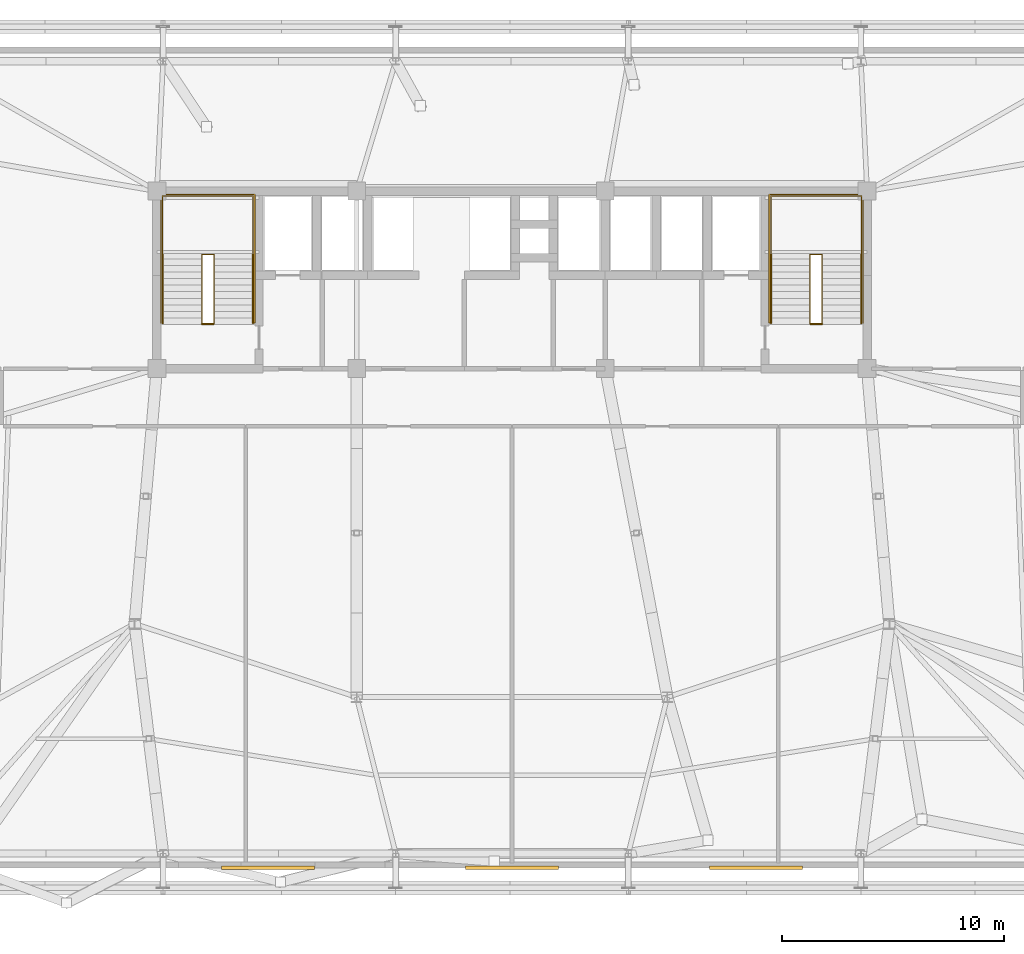
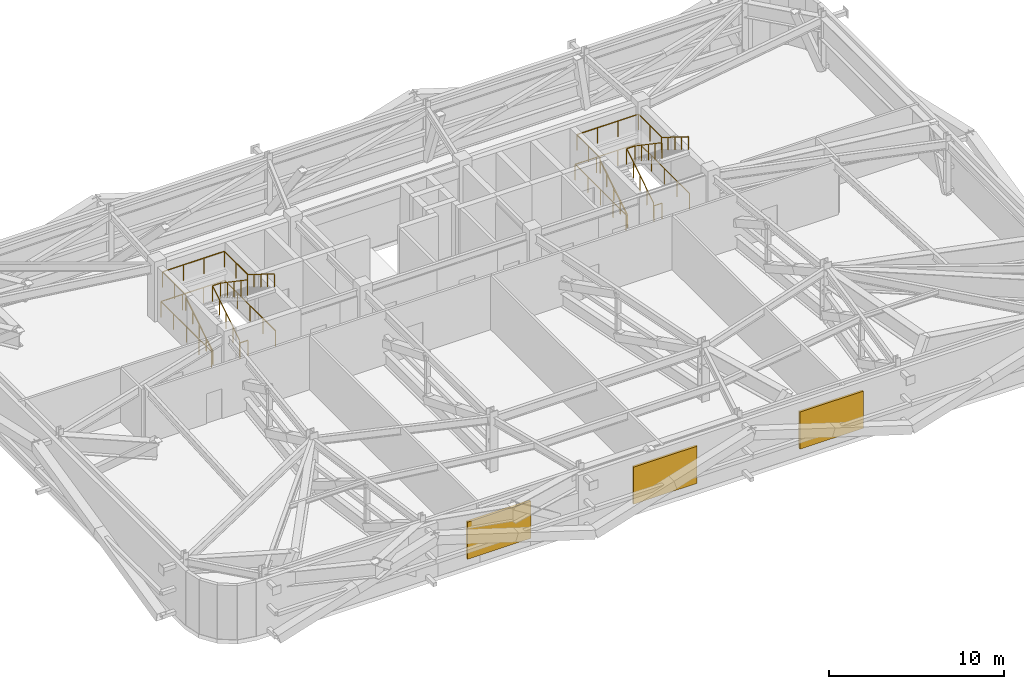
# One storey, part 24 of 24: 12 railings, 3 shading devices.
"""IFC4 building model written with IfcOpenShell, lengths in metres."""

from ifc_helpers import new_model, si_unit, direction, frame, origin, origin_2d, place, context, subcontext, project, spatial, rectangle, extrude, source, transform, mapped, material, layer, layer_set, type_object, element, save


model = new_model("IFC4")

# Units and contexts
model_context = context("Model", 3, precision=1e-05, world=origin(), true_north=direction((0.0, 1.0)))
body_context = subcontext(model_context, "Body", "Model", "MODEL_VIEW")
ifc_project = project(units=[si_unit("LENGTHUNIT", "METRE"), si_unit("AREAUNIT", "SQUARE_METRE"), si_unit("VOLUMEUNIT", "CUBIC_METRE"), si_unit("PLANEANGLEUNIT", "RADIAN"), si_unit("MASSUNIT", "GRAM", prefix="KILO")], contexts=[model_context])

# Site, building, storey
site_placement = place(None, origin())
site = spatial("IfcSite", under=ifc_project, at=site_placement, CompositionType="ELEMENT")
building_placement = place(site_placement, origin())
building = spatial("IfcBuilding", under=site, at=building_placement, Name="Taldren Reach Tower", CompositionType="ELEMENT")
storey_placement = place(building_placement, frame((0.0, 0.0, 60.89990234375)))
storey = spatial("IfcBuildingStorey", under=building, at=storey_placement, Name="L18", CompositionType="ELEMENT", Elevation=60.89990234375)

# Railings
ifc_material_1 = material(Name="Steel Gr 350 (C350L0)", Category="steel")
ifc_layer_1 = layer(ifc_material_1, 0.050048828125)
ifc_layer_set_1 = layer_set([ifc_layer_1], Name="Steel Gr 350 (C350L0)")
railing_type_1 = type_object("IfcRailingType", Name="RL-STAIR-GR", PredefinedType="GUARDRAIL", material=ifc_layer_set_1)
railing_1_placement = place(storey_placement, frame((19.260009765625, 29.135009765625, 2.10009765625)))
element("IfcRailing", 1, at=railing_1_placement, inside=storey, type_object=railing_type_1, Name="Stair half-landing perimeter guard ST1-L18", PredefinedType="GUARDRAIL", context=body_context, shape_type="SweptSolid", body=[
    extrude(rectangle(XDim=0.047852, YDim=0.047852, at=origin_2d()), frame((0.0, 0.0, 1.09619140625), z_axis=(0.0, 1.0, 0.0), x_axis=(-1.0, 0.0, 0.0)), (0.0, 0.0, 1.0), 2.64501953125),
    extrude(rectangle(XDim=0.047852, YDim=0.047852, at=origin_2d()), frame((0.0, 2.64501953125, 1.09619140625), z_axis=(1.0, 0.0, 0.0), x_axis=(0.0, 1.0, 0.0)), (0.0, 0.0, 1.0), 4.080078125),
    extrude(rectangle(XDim=0.047852, YDim=0.047852, at=origin_2d()), frame((4.080078125, 2.64501953125, 1.09619140625), z_axis=(0.0, -1.0, 0.0), x_axis=(1.0, 0.0, 0.0)), (0.0, 0.0, 1.0), 2.64501953125),
    extrude(rectangle(XDim=0.041992, YDim=0.041992, at=origin_2d()), origin(), (0.0, 0.0, 1.0), 1.072021484375),
    extrude(rectangle(XDim=0.041992, YDim=0.041992, at=origin_2d()), frame((0.0, 1.322509765625, 0.0)), (0.0, 0.0, 1.0), 1.072021484375),
    extrude(rectangle(XDim=0.041992, YDim=0.041992, at=origin_2d()), frame((0.0, 2.64501953125, 0.0)), (0.0, 0.0, 1.0), 1.072021484375),
    extrude(rectangle(XDim=0.041992, YDim=0.041992, at=origin_2d()), frame((1.360107421875, 2.64501953125, 0.0)), (0.0, 0.0, 1.0), 1.072021484375),
    extrude(rectangle(XDim=0.041992, YDim=0.041992, at=origin_2d()), frame((2.719970703125, 2.64501953125, 0.0)), (0.0, 0.0, 1.0), 1.072021484375),
    extrude(rectangle(XDim=0.041992, YDim=0.041992, at=origin_2d()), frame((4.080078125, 2.64501953125, 0.0)), (0.0, 0.0, 1.0), 1.072021484375),
    extrude(rectangle(XDim=0.041992, YDim=0.041992, at=origin_2d()), frame((4.080078125, 1.322509765625, 0.0)), (0.0, 0.0, 1.0), 1.072021484375),
    extrude(rectangle(XDim=0.041992, YDim=0.041992, at=origin_2d()), frame((4.080078125, 0.0, 0.0)), (0.0, 0.0, 1.0), 1.072021484375),
])
railing_2_placement = place(storey_placement, frame((21.030029296875, 26.050048828125, 0.175048828125)))
element("IfcRailing", 2, at=railing_2_placement, inside=storey, type_object=railing_type_1, Name="Stairwell inner guard ST1-L18", PredefinedType="GUARDRAIL", context=body_context, shape_type="SweptSolid", body=[
    extrude(rectangle(XDim=0.047852, YDim=0.047852, at=origin_2d()), frame((0.0, 0.0, 1.09619140625), z_axis=(0.0, 0.848375277705, 0.529395304266), x_axis=(-1.0, 0.0, 0.0)), (0.0, 0.0, 1.0), 3.63623046875),
    extrude(rectangle(XDim=0.047852, YDim=0.047852, at=origin_2d()), frame((0.0, 3.0849609375, 3.02099609375), z_axis=(1.0, 0.0, 0.0), x_axis=(0.0, 1.0, 0.0)), (0.0, 0.0, 1.0), 0.5400390625),
    extrude(rectangle(XDim=0.047852, YDim=0.047852, at=origin_2d()), frame((0.5400390625, 3.0849609375, 3.02099609375), z_axis=(0.0, -0.826636801581, 0.562735815701), x_axis=(1.0, 0.0, 0.0)), (0.0, 0.0, 1.0), 3.73193359375),
    extrude(rectangle(XDim=0.041992, YDim=0.041992, at=origin_2d()), origin(), (0.0, 0.0, 1.0), 1.072021484375),
    extrude(rectangle(XDim=0.041992, YDim=0.041992, at=origin_2d()), frame((0.0, 0.771240234375, 0.481201171875)), (0.0, 0.0, 1.0), 1.072021484375),
    extrude(rectangle(XDim=0.041992, YDim=0.041992, at=origin_2d()), frame((0.0, 1.54248046875, 0.96240234375)), (0.0, 0.0, 1.0), 1.072021484375),
    extrude(rectangle(XDim=0.041992, YDim=0.041992, at=origin_2d()), frame((0.0, 2.313720703125, 1.44384765625)), (0.0, 0.0, 1.0), 1.072021484375),
    extrude(rectangle(XDim=0.041992, YDim=0.041992, at=origin_2d()), frame((0.0, 3.0849609375, 1.925048828125)), (0.0, 0.0, 1.0), 1.072021484375),
    extrude(rectangle(XDim=0.041992, YDim=0.041992, at=origin_2d()), frame((0.5400390625, 3.0849609375, 1.925048828125)), (0.0, 0.0, 1.0), 1.072021484375),
    extrude(rectangle(XDim=0.041992, YDim=0.041992, at=origin_2d()), frame((0.5400390625, 2.313720703125, 2.4501953125)), (0.0, 0.0, 1.0), 1.072021484375),
    extrude(rectangle(XDim=0.041992, YDim=0.041992, at=origin_2d()), frame((0.5400390625, 1.54248046875, 2.97509765625)), (0.0, 0.0, 1.0), 1.072021484375),
    extrude(rectangle(XDim=0.041992, YDim=0.041992, at=origin_2d()), frame((0.5400390625, 0.771240234375, 3.5)), (0.0, 0.0, 1.0), 1.072021484375),
    extrude(rectangle(XDim=0.041992, YDim=0.041992, at=origin_2d()), frame((0.5400390625, 0.0, 4.025146484375)), (0.0, 0.0, 1.0), 1.072021484375),
])
railing_3_placement = place(storey_placement, frame((21.030029296875, 26.010009765625, 0.0)))
element("IfcRailing", 3, at=railing_3_placement, inside=storey, type_object=railing_type_1, Name="Stairwell landing slot guard ST1-L18", PredefinedType="GUARDRAIL", context=body_context, shape_type="SweptSolid", body=[
    extrude(rectangle(XDim=0.047852, YDim=0.047852, at=origin_2d()), frame((0.0, 0.0, 1.09619140625), z_axis=(1.0, 0.0, 0.0), x_axis=(0.0, 1.0, 0.0)), (0.0, 0.0, 1.0), 0.5400390625),
    extrude(rectangle(XDim=0.041992, YDim=0.041992, at=origin_2d()), origin(), (0.0, 0.0, 1.0), 1.072021484375),
    extrude(rectangle(XDim=0.041992, YDim=0.041992, at=origin_2d()), frame((0.5400390625, 0.0, 0.0)), (0.0, 0.0, 1.0), 1.072021484375),
])
railing_4_placement = place(storey_placement, frame((19.18994140625, 26.050048828125, 0.0)))
element("IfcRailing", 4, at=railing_4_placement, inside=storey, type_object=railing_type_1, Name="Stairwell floor opening guard ST1-L18", PredefinedType="GUARDRAIL", context=body_context, shape_type="SweptSolid", body=[
    extrude(rectangle(XDim=0.047852, YDim=0.047852, at=origin_2d()), frame((0.0, 0.0, 1.09619140625), z_axis=(0.0, 1.0, 0.0), x_axis=(-1.0, 0.0, 0.0)), (0.0, 0.0, 1.0), 5.800048828125),
    extrude(rectangle(XDim=0.047852, YDim=0.047852, at=origin_2d()), frame((0.0, 5.800048828125, 1.09619140625), z_axis=(1.0, 0.0, 0.0), x_axis=(0.0, 1.0, 0.0)), (0.0, 0.0, 1.0), 4.219970703125),
    extrude(rectangle(XDim=0.047852, YDim=0.047852, at=origin_2d()), frame((4.219970703125, 5.800048828125, 1.09619140625), z_axis=(0.0, -1.0, 0.0), x_axis=(1.0, 0.0, 0.0)), (0.0, 0.0, 1.0), 5.800048828125),
    extrude(rectangle(XDim=0.041992, YDim=0.041992, at=origin_2d()), origin(), (0.0, 0.0, 1.0), 1.072021484375),
    extrude(rectangle(XDim=0.041992, YDim=0.041992, at=origin_2d()), frame((0.0, 1.449951171875, 0.0)), (0.0, 0.0, 1.0), 1.072021484375),
    extrude(rectangle(XDim=0.041992, YDim=0.041992, at=origin_2d()), frame((0.0, 2.89990234375, 0.0)), (0.0, 0.0, 1.0), 1.072021484375),
    extrude(rectangle(XDim=0.041992, YDim=0.041992, at=origin_2d()), frame((0.0, 4.35009765625, 0.0)), (0.0, 0.0, 1.0), 1.072021484375),
    extrude(rectangle(XDim=0.041992, YDim=0.041992, at=origin_2d()), frame((0.0, 5.800048828125, 0.0)), (0.0, 0.0, 1.0), 1.072021484375),
    extrude(rectangle(XDim=0.041992, YDim=0.041992, at=origin_2d()), frame((1.40673828125, 5.800048828125, 0.0)), (0.0, 0.0, 1.0), 1.072021484375),
    extrude(rectangle(XDim=0.041992, YDim=0.041992, at=origin_2d()), frame((2.813232421875, 5.800048828125, 0.0)), (0.0, 0.0, 1.0), 1.072021484375),
    extrude(rectangle(XDim=0.041992, YDim=0.041992, at=origin_2d()), frame((4.219970703125, 5.800048828125, 0.0)), (0.0, 0.0, 1.0), 1.072021484375),
    extrude(rectangle(XDim=0.041992, YDim=0.041992, at=origin_2d()), frame((4.219970703125, 4.35009765625, 0.0)), (0.0, 0.0, 1.0), 1.072021484375),
    extrude(rectangle(XDim=0.041992, YDim=0.041992, at=origin_2d()), frame((4.219970703125, 2.89990234375, 0.0)), (0.0, 0.0, 1.0), 1.072021484375),
    extrude(rectangle(XDim=0.041992, YDim=0.041992, at=origin_2d()), frame((4.219970703125, 1.449951171875, 0.0)), (0.0, 0.0, 1.0), 1.072021484375),
    extrude(rectangle(XDim=0.041992, YDim=0.041992, at=origin_2d()), frame((4.219970703125, 0.0, 0.0)), (0.0, 0.0, 1.0), 1.072021484375),
])
railing_5_placement = place(storey_placement, frame((46.659912109375, 29.135009765625, 2.10009765625)))
element("IfcRailing", 5, at=railing_5_placement, inside=storey, type_object=railing_type_1, Name="Stair half-landing perimeter guard ST2-L18", PredefinedType="GUARDRAIL", context=body_context, shape_type="SweptSolid", body=[
    extrude(rectangle(XDim=0.047852, YDim=0.047852, at=origin_2d()), frame((0.0, 0.0, 1.09619140625), z_axis=(0.0, 1.0, 0.0), x_axis=(-1.0, 0.0, 0.0)), (0.0, 0.0, 1.0), 2.64501953125),
    extrude(rectangle(XDim=0.047852, YDim=0.047852, at=origin_2d()), frame((0.0, 2.64501953125, 1.09619140625), z_axis=(1.0, 0.0, 0.0), x_axis=(0.0, 1.0, 0.0)), (0.0, 0.0, 1.0), 4.080078125),
    extrude(rectangle(XDim=0.047852, YDim=0.047852, at=origin_2d()), frame((4.080078125, 2.64501953125, 1.09619140625), z_axis=(0.0, -1.0, 0.0), x_axis=(1.0, 0.0, 0.0)), (0.0, 0.0, 1.0), 2.64501953125),
    extrude(rectangle(XDim=0.041992, YDim=0.041992, at=origin_2d()), origin(), (0.0, 0.0, 1.0), 1.072021484375),
    extrude(rectangle(XDim=0.041992, YDim=0.041992, at=origin_2d()), frame((0.0, 1.322509765625, 0.0)), (0.0, 0.0, 1.0), 1.072021484375),
    extrude(rectangle(XDim=0.041992, YDim=0.041992, at=origin_2d()), frame((0.0, 2.64501953125, 0.0)), (0.0, 0.0, 1.0), 1.072021484375),
    extrude(rectangle(XDim=0.041992, YDim=0.041992, at=origin_2d()), frame((1.360107421875, 2.64501953125, 0.0)), (0.0, 0.0, 1.0), 1.072021484375),
    extrude(rectangle(XDim=0.041992, YDim=0.041992, at=origin_2d()), frame((2.719970703125, 2.64501953125, 0.0)), (0.0, 0.0, 1.0), 1.072021484375),
    extrude(rectangle(XDim=0.041992, YDim=0.041992, at=origin_2d()), frame((4.080078125, 2.64501953125, 0.0)), (0.0, 0.0, 1.0), 1.072021484375),
    extrude(rectangle(XDim=0.041992, YDim=0.041992, at=origin_2d()), frame((4.080078125, 1.322509765625, 0.0)), (0.0, 0.0, 1.0), 1.072021484375),
    extrude(rectangle(XDim=0.041992, YDim=0.041992, at=origin_2d()), frame((4.080078125, 0.0, 0.0)), (0.0, 0.0, 1.0), 1.072021484375),
])
railing_6_placement = place(storey_placement, frame((48.429931640625, 26.050048828125, 0.175048828125)))
element("IfcRailing", 6, at=railing_6_placement, inside=storey, type_object=railing_type_1, Name="Stairwell inner guard ST2-L18", PredefinedType="GUARDRAIL", context=body_context, shape_type="SweptSolid", body=[
    extrude(rectangle(XDim=0.047852, YDim=0.047852, at=origin_2d()), frame((0.0, 0.0, 1.09619140625), z_axis=(0.0, 0.848375277705, 0.529395304266), x_axis=(-1.0, 0.0, 0.0)), (0.0, 0.0, 1.0), 3.63623046875),
    extrude(rectangle(XDim=0.047852, YDim=0.047852, at=origin_2d()), frame((0.0, 3.0849609375, 3.02099609375), z_axis=(1.0, 0.0, 0.0), x_axis=(0.0, 1.0, 0.0)), (0.0, 0.0, 1.0), 0.5400390625),
    extrude(rectangle(XDim=0.047852, YDim=0.047852, at=origin_2d()), frame((0.5400390625, 3.0849609375, 3.02099609375), z_axis=(0.0, -0.826636801581, 0.562735815701), x_axis=(1.0, 0.0, 0.0)), (0.0, 0.0, 1.0), 3.73193359375),
    extrude(rectangle(XDim=0.041992, YDim=0.041992, at=origin_2d()), origin(), (0.0, 0.0, 1.0), 1.072021484375),
    extrude(rectangle(XDim=0.041992, YDim=0.041992, at=origin_2d()), frame((0.0, 0.771240234375, 0.481201171875)), (0.0, 0.0, 1.0), 1.072021484375),
    extrude(rectangle(XDim=0.041992, YDim=0.041992, at=origin_2d()), frame((0.0, 1.54248046875, 0.96240234375)), (0.0, 0.0, 1.0), 1.072021484375),
    extrude(rectangle(XDim=0.041992, YDim=0.041992, at=origin_2d()), frame((0.0, 2.313720703125, 1.44384765625)), (0.0, 0.0, 1.0), 1.072021484375),
    extrude(rectangle(XDim=0.041992, YDim=0.041992, at=origin_2d()), frame((0.0, 3.0849609375, 1.925048828125)), (0.0, 0.0, 1.0), 1.072021484375),
    extrude(rectangle(XDim=0.041992, YDim=0.041992, at=origin_2d()), frame((0.5400390625, 3.0849609375, 1.925048828125)), (0.0, 0.0, 1.0), 1.072021484375),
    extrude(rectangle(XDim=0.041992, YDim=0.041992, at=origin_2d()), frame((0.5400390625, 2.313720703125, 2.4501953125)), (0.0, 0.0, 1.0), 1.072021484375),
    extrude(rectangle(XDim=0.041992, YDim=0.041992, at=origin_2d()), frame((0.5400390625, 1.54248046875, 2.97509765625)), (0.0, 0.0, 1.0), 1.072021484375),
    extrude(rectangle(XDim=0.041992, YDim=0.041992, at=origin_2d()), frame((0.5400390625, 0.771240234375, 3.5)), (0.0, 0.0, 1.0), 1.072021484375),
    extrude(rectangle(XDim=0.041992, YDim=0.041992, at=origin_2d()), frame((0.5400390625, 0.0, 4.025146484375)), (0.0, 0.0, 1.0), 1.072021484375),
])
railing_7_placement = place(storey_placement, frame((48.429931640625, 26.010009765625, 0.0)))
element("IfcRailing", 7, at=railing_7_placement, inside=storey, type_object=railing_type_1, Name="Stairwell landing slot guard ST2-L18", PredefinedType="GUARDRAIL", context=body_context, shape_type="SweptSolid", body=[
    extrude(rectangle(XDim=0.047852, YDim=0.047852, at=origin_2d()), frame((0.0, 0.0, 1.09619140625), z_axis=(1.0, 0.0, 0.0), x_axis=(0.0, 1.0, 0.0)), (0.0, 0.0, 1.0), 0.5400390625),
    extrude(rectangle(XDim=0.041992, YDim=0.041992, at=origin_2d()), origin(), (0.0, 0.0, 1.0), 1.072021484375),
    extrude(rectangle(XDim=0.041992, YDim=0.041992, at=origin_2d()), frame((0.5400390625, 0.0, 0.0)), (0.0, 0.0, 1.0), 1.072021484375),
])
railing_8_placement = place(storey_placement, frame((46.590087890625, 26.050048828125, 0.0)))
element("IfcRailing", 8, at=railing_8_placement, inside=storey, type_object=railing_type_1, Name="Stairwell floor opening guard ST2-L18", PredefinedType="GUARDRAIL", context=body_context, shape_type="SweptSolid", body=[
    extrude(rectangle(XDim=0.047852, YDim=0.047852, at=origin_2d()), frame((0.0, 0.0, 1.09619140625), z_axis=(0.0, 1.0, 0.0), x_axis=(-1.0, 0.0, 0.0)), (0.0, 0.0, 1.0), 5.800048828125),
    extrude(rectangle(XDim=0.047852, YDim=0.047852, at=origin_2d()), frame((0.0, 5.800048828125, 1.09619140625), z_axis=(1.0, 0.0, 0.0), x_axis=(0.0, 1.0, 0.0)), (0.0, 0.0, 1.0), 4.219970703125),
    extrude(rectangle(XDim=0.047852, YDim=0.047852, at=origin_2d()), frame((4.219970703125, 5.800048828125, 1.09619140625), z_axis=(0.0, -1.0, 0.0), x_axis=(1.0, 0.0, 0.0)), (0.0, 0.0, 1.0), 5.800048828125),
    extrude(rectangle(XDim=0.041992, YDim=0.041992, at=origin_2d()), origin(), (0.0, 0.0, 1.0), 1.072021484375),
    extrude(rectangle(XDim=0.041992, YDim=0.041992, at=origin_2d()), frame((0.0, 1.449951171875, 0.0)), (0.0, 0.0, 1.0), 1.072021484375),
    extrude(rectangle(XDim=0.041992, YDim=0.041992, at=origin_2d()), frame((0.0, 2.89990234375, 0.0)), (0.0, 0.0, 1.0), 1.072021484375),
    extrude(rectangle(XDim=0.041992, YDim=0.041992, at=origin_2d()), frame((0.0, 4.35009765625, 0.0)), (0.0, 0.0, 1.0), 1.072021484375),
    extrude(rectangle(XDim=0.041992, YDim=0.041992, at=origin_2d()), frame((0.0, 5.800048828125, 0.0)), (0.0, 0.0, 1.0), 1.072021484375),
    extrude(rectangle(XDim=0.041992, YDim=0.041992, at=origin_2d()), frame((1.40673828125, 5.800048828125, 0.0)), (0.0, 0.0, 1.0), 1.072021484375),
    extrude(rectangle(XDim=0.041992, YDim=0.041992, at=origin_2d()), frame((2.813232421875, 5.800048828125, 0.0)), (0.0, 0.0, 1.0), 1.072021484375),
    extrude(rectangle(XDim=0.041992, YDim=0.041992, at=origin_2d()), frame((4.219970703125, 5.800048828125, 0.0)), (0.0, 0.0, 1.0), 1.072021484375),
    extrude(rectangle(XDim=0.041992, YDim=0.041992, at=origin_2d()), frame((4.219970703125, 4.35009765625, 0.0)), (0.0, 0.0, 1.0), 1.072021484375),
    extrude(rectangle(XDim=0.041992, YDim=0.041992, at=origin_2d()), frame((4.219970703125, 2.89990234375, 0.0)), (0.0, 0.0, 1.0), 1.072021484375),
    extrude(rectangle(XDim=0.041992, YDim=0.041992, at=origin_2d()), frame((4.219970703125, 1.449951171875, 0.0)), (0.0, 0.0, 1.0), 1.072021484375),
    extrude(rectangle(XDim=0.041992, YDim=0.041992, at=origin_2d()), frame((4.219970703125, 0.0, 0.0)), (0.0, 0.0, 1.0), 1.072021484375),
])
ifc_material_2 = material(Name="Stainless Steel Gr 316", Category="steel")
ifc_layer_2 = layer(ifc_material_2, 0.048095703125)
ifc_layer_set_2 = layer_set([ifc_layer_2], Name="Stainless Steel Gr 316")
railing_type_2 = type_object("IfcRailingType", Name="RL-STAIR-HR", PredefinedType="HANDRAIL", material=ifc_layer_set_2)
railing_9_placement = place(storey_placement, frame((19.27001953125, 26.050048828125, 0.175048828125)))
element("IfcRailing", 9, at=railing_9_placement, inside=storey, type_object=railing_type_2, Name="Stair flight handrail ST1-L18-1", PredefinedType="HANDRAIL", context=body_context, shape_type="SweptSolid", body=[
    extrude(rectangle(XDim=0.047852, YDim=0.047852, at=origin_2d()), frame((0.0, 0.0, 0.89599609375), z_axis=(0.0, 0.848375277705, 0.529395304266), x_axis=(-1.0, 0.0, 0.0)), (0.0, 0.0, 1.0), 3.63623046875),
    extrude(rectangle(XDim=0.041992, YDim=0.041992, at=origin_2d()), origin(), (0.0, 0.0, 1.0), 0.871826171875),
    extrude(rectangle(XDim=0.041992, YDim=0.041992, at=origin_2d()), frame((0.0, 0.771240234375, 0.481201171875)), (0.0, 0.0, 1.0), 0.871826171875),
    extrude(rectangle(XDim=0.041992, YDim=0.041992, at=origin_2d()), frame((0.0, 1.54248046875, 0.96240234375)), (0.0, 0.0, 1.0), 0.871826171875),
    extrude(rectangle(XDim=0.041992, YDim=0.041992, at=origin_2d()), frame((0.0, 2.313720703125, 1.44384765625)), (0.0, 0.0, 1.0), 0.871826171875),
    extrude(rectangle(XDim=0.041992, YDim=0.041992, at=origin_2d()), frame((0.0, 3.0849609375, 1.925048828125)), (0.0, 0.0, 1.0), 0.871826171875),
])
railing_10_placement = place(storey_placement, frame((23.330078125, 29.135009765625, 2.275146484375)))
element("IfcRailing", 10, at=railing_10_placement, inside=storey, type_object=railing_type_2, Name="Stair flight handrail ST1-L18-2", PredefinedType="HANDRAIL", context=body_context, shape_type="SweptSolid", body=[
    extrude(rectangle(XDim=0.047852, YDim=0.047852, at=origin_2d()), frame((0.0, 0.0, 0.89599609375), z_axis=(0.0, -0.848375277705, 0.529395304266), x_axis=(1.0, 0.0, 0.0)), (0.0, 0.0, 1.0), 3.63623046875),
    extrude(rectangle(XDim=0.041992, YDim=0.041992, at=origin_2d()), origin(), (0.0, 0.0, 1.0), 0.871826171875),
    extrude(rectangle(XDim=0.041992, YDim=0.041992, at=origin_2d()), frame((0.0, -0.771240234375, 0.481201171875)), (0.0, 0.0, 1.0), 0.871826171875),
    extrude(rectangle(XDim=0.041992, YDim=0.041992, at=origin_2d()), frame((0.0, -1.54248046875, 0.96240234375)), (0.0, 0.0, 1.0), 0.871826171875),
    extrude(rectangle(XDim=0.041992, YDim=0.041992, at=origin_2d()), frame((0.0, -2.313720703125, 1.44384765625)), (0.0, 0.0, 1.0), 0.871826171875),
    extrude(rectangle(XDim=0.041992, YDim=0.041992, at=origin_2d()), frame((0.0, -3.0849609375, 1.925048828125)), (0.0, 0.0, 1.0), 0.871826171875),
])
railing_11_placement = place(storey_placement, frame((46.669921875, 26.050048828125, 0.175048828125)))
element("IfcRailing", 11, at=railing_11_placement, inside=storey, type_object=railing_type_2, Name="Stair flight handrail ST2-L18-1", PredefinedType="HANDRAIL", context=body_context, shape_type="SweptSolid", body=[
    extrude(rectangle(XDim=0.047852, YDim=0.047852, at=origin_2d()), frame((0.0, 0.0, 0.89599609375), z_axis=(0.0, 0.848375277705, 0.529395304266), x_axis=(-1.0, 0.0, 0.0)), (0.0, 0.0, 1.0), 3.63623046875),
    extrude(rectangle(XDim=0.041992, YDim=0.041992, at=origin_2d()), origin(), (0.0, 0.0, 1.0), 0.871826171875),
    extrude(rectangle(XDim=0.041992, YDim=0.041992, at=origin_2d()), frame((0.0, 0.771240234375, 0.481201171875)), (0.0, 0.0, 1.0), 0.871826171875),
    extrude(rectangle(XDim=0.041992, YDim=0.041992, at=origin_2d()), frame((0.0, 1.54248046875, 0.96240234375)), (0.0, 0.0, 1.0), 0.871826171875),
    extrude(rectangle(XDim=0.041992, YDim=0.041992, at=origin_2d()), frame((0.0, 2.313720703125, 1.44384765625)), (0.0, 0.0, 1.0), 0.871826171875),
    extrude(rectangle(XDim=0.041992, YDim=0.041992, at=origin_2d()), frame((0.0, 3.0849609375, 1.925048828125)), (0.0, 0.0, 1.0), 0.871826171875),
])
railing_12_placement = place(storey_placement, frame((50.72998046875, 29.135009765625, 2.275146484375)))
element("IfcRailing", 12, at=railing_12_placement, inside=storey, type_object=railing_type_2, Name="Stair flight handrail ST2-L18-2", PredefinedType="HANDRAIL", context=body_context, shape_type="SweptSolid", body=[
    extrude(rectangle(XDim=0.047852, YDim=0.047852, at=origin_2d()), frame((0.0, 0.0, 0.89599609375), z_axis=(0.0, -0.848375277705, 0.529395304266), x_axis=(1.0, 0.0, 0.0)), (0.0, 0.0, 1.0), 3.63623046875),
    extrude(rectangle(XDim=0.041992, YDim=0.041992, at=origin_2d()), origin(), (0.0, 0.0, 1.0), 0.871826171875),
    extrude(rectangle(XDim=0.041992, YDim=0.041992, at=origin_2d()), frame((0.0, -0.771240234375, 0.481201171875)), (0.0, 0.0, 1.0), 0.871826171875),
    extrude(rectangle(XDim=0.041992, YDim=0.041992, at=origin_2d()), frame((0.0, -1.54248046875, 0.96240234375)), (0.0, 0.0, 1.0), 0.871826171875),
    extrude(rectangle(XDim=0.041992, YDim=0.041992, at=origin_2d()), frame((0.0, -2.313720703125, 1.44384765625)), (0.0, 0.0, 1.0), 0.871826171875),
    extrude(rectangle(XDim=0.041992, YDim=0.041992, at=origin_2d()), frame((0.0, -3.0849609375, 1.925048828125)), (0.0, 0.0, 1.0), 0.871826171875),
])

# Shading devices
ifc_material_3 = material(Name="Pale-Anodised Stormproof Aluminium Acoustic Louvre", Category="aluminium")
ifc_layer_3 = layer(ifc_material_3, 0.159912109375)
ifc_layer_set_3 = layer_set([ifc_layer_3], Name="Pale-Anodised Stormproof Aluminium Acoustic Louvre")
shading_device_type = type_object("IfcShadingDeviceType", Name="LV-PLANT-270", PredefinedType="SHUTTER", material=ifc_layer_set_3)
shared_shape = source(origin(), body_context, "Body", "SweptSolid", [
    extrude(rectangle(XDim=4.199951171875, YDim=0.159912109375, at=origin_2d()), origin(), (0.0, 0.0, 1.0), 2.60009765625),
])
for number, where, z_axis, x_axis, name in (
    (13, (24.0, 1.52001953125, 0.550048828125), (0.0, 0.0, 1.0), (1.0, 0.0, 0.0), "Plant room acoustic weather louvre L18-1"),
    (14, (35.0, 1.52001953125, 0.550048828125), (0.0, 0.0, 1.0), (1.0, 0.0, 0.0), "Plant room acoustic weather louvre L18-2"),
    (15, (46.0, 1.52001953125, 0.550048828125), (0.0, 0.0, 1.0), (1.0, 0.0, 0.0), "Plant room acoustic weather louvre L18-3"),
):
    element("IfcShadingDevice", number, at=place(storey_placement, frame(where, z_axis=z_axis, x_axis=x_axis)), inside=storey, type_object=shading_device_type, Name=name, PredefinedType="SHUTTER", context=body_context, shape_type="MappedRepresentation", body=[
        mapped(shared_shape, transform((0.0, 0.0, 0.0), scale=1.0)),
    ])

save(model, "model.ifc")
